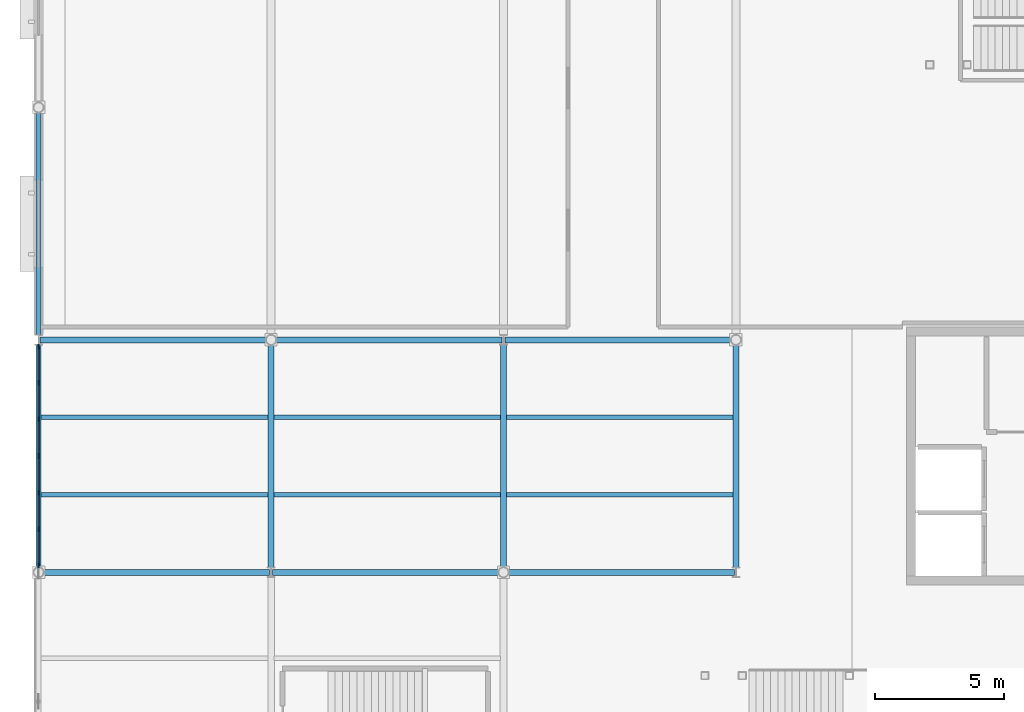
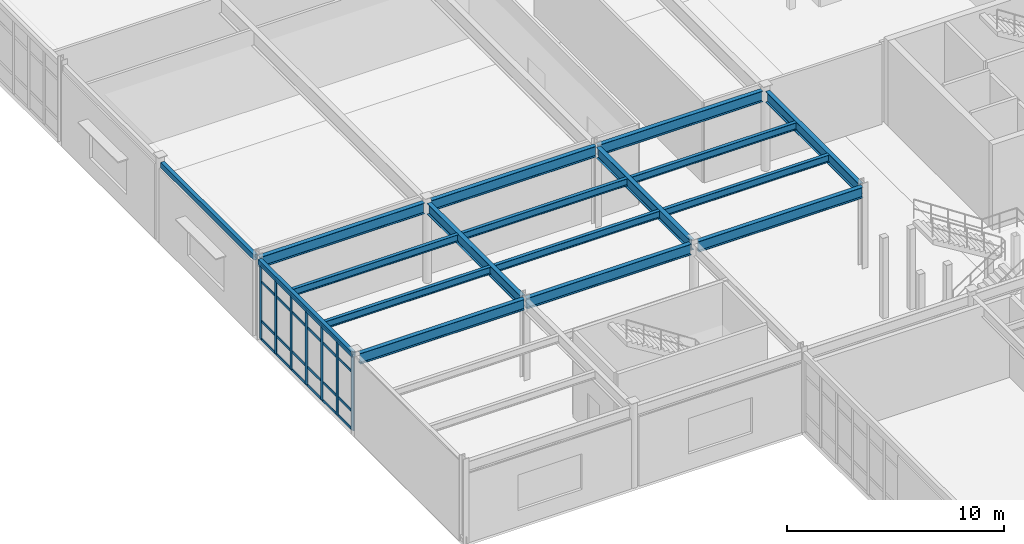
# One storey, part 36 of 84: 31 members, 17 beams, 1 element without a shape of its own.
"""IFC4 building model written with IfcOpenShell, lengths in metres."""

import ifcopenshell
import ifcopenshell.guid

model = None  # the IFC model being written
_history = None  # IfcOwnerHistory: only IFC2X3 demands one
_inside = {}  # id of a spatial element -> (the spatial element, [elements in it])
_under = {}  # id of a project, library or spatial element -> (it, [spatial elements below it])
_declared = {}  # id of a project -> (the project, [libraries it declares])
_typed = {}  # id of a type object -> (the type object, [elements of that type])
_made_of = {}  # id of a material, layer set ... -> (it, [elements and type objects made of it])


def new_model(schema):
    """Start an empty IFC model of exactly this schema.

    Asked for "IFC4X3", IfcOpenShell would pick the latest addendum, in which some entities
    have other attributes; the version numbers below select the first issue.
    IFC2X3 requires an IfcOwnerHistory on every rooted entity: one is made here for all.
    """
    global model, _history
    if schema == "IFC4X3":
        model = ifcopenshell.file(schema_version=(4, 3, 0, 0))
    else:
        model = ifcopenshell.file(schema=schema)
    _inside.clear()
    _under.clear()
    _declared.clear()
    _typed.clear()
    _made_of.clear()
    _history = None
    if model.schema == "IFC2X3":
        org = make("IfcOrganization", Name="unknown")
        user = make(
            "IfcPersonAndOrganization",
            ThePerson=make("IfcPerson", FamilyName="unknown"),
            TheOrganization=org,
        )
        app = make(
            "IfcApplication",
            ApplicationDeveloper=org,
            Version="unknown",
            ApplicationFullName="unknown",
            ApplicationIdentifier="unknown",
        )
        _history = make(
            "IfcOwnerHistory",
            OwningUser=user,
            OwningApplication=app,
            ChangeAction="ADDED",
            CreationDate=0,
        )
    return model


def make(cls, **values):
    """One entity of the class cls with the attributes given. An attribute that is None is left unset."""
    return model.create_entity(
        cls, **{name: value for name, value in values.items() if value is not None}
    )


def rooted(cls, **values):
    """An entity with a GlobalId (a new one), such as an element, a storey or a relation."""
    return make(cls, GlobalId=ifcopenshell.guid.new(), OwnerHistory=_history, **values)


def si_unit(unit_type, name, prefix=None):
    """IfcSIUnit, for example si_unit("LENGTHUNIT", "METRE", prefix="MILLI")."""
    return make("IfcSIUnit", UnitType=unit_type, Prefix=prefix, Name=name)


def assignment(units):
    """IfcUnitAssignment: the units of a project."""
    return None if units is None else make("IfcUnitAssignment", Units=units)


def point(xyz):
    """IfcCartesianPoint."""
    return None if xyz is None else make("IfcCartesianPoint", Coordinates=xyz)


def direction(xyz):
    """IfcDirection."""
    return None if xyz is None else make("IfcDirection", DirectionRatios=xyz)


def frame(location, z_axis=None, x_axis=None):
    """IfcAxis2Placement3D, a coordinate frame: its origin and axes. An axis left out is left unset."""
    return make(
        "IfcAxis2Placement3D",
        Location=point(location),
        Axis=direction(z_axis),
        RefDirection=direction(x_axis),
    )


def frame_2d(location, x_axis=None):
    """IfcAxis2Placement2D, a coordinate frame in the plane: its origin and x axis."""
    return make(
        "IfcAxis2Placement2D", Location=point(location), RefDirection=direction(x_axis)
    )


def origin():
    """The frame at (0, 0, 0) with its axes left unset."""
    return frame((0.0, 0.0, 0.0))


def origin_2d():
    """The frame at (0, 0) in the plane with its x axis left unset."""
    return frame_2d((0.0, 0.0))


def place(relative_to, where):
    """IfcLocalPlacement: puts the frame where relative to a parent placement (None: the world)."""
    return make(
        "IfcLocalPlacement", PlacementRelTo=relative_to, RelativePlacement=where
    )


def context(
    kind, dimensions, precision=None, world=None, true_north=None, identifier=None
):
    """IfcGeometricRepresentationContext, for example the 3D "Model" context."""
    return make(
        "IfcGeometricRepresentationContext",
        ContextIdentifier=identifier,
        ContextType=kind,
        CoordinateSpaceDimension=dimensions,
        Precision=precision,
        WorldCoordinateSystem=world,
        TrueNorth=true_north,
    )


def subcontext(parent, identifier, kind, view, scale=None):
    """IfcGeometricRepresentationSubContext, for example "Body" below "Model"."""
    return make(
        "IfcGeometricRepresentationSubContext",
        ContextIdentifier=identifier,
        ContextType=kind,
        ParentContext=parent,
        TargetScale=scale,
        TargetView=view,
    )


def project(units=None, contexts=None):
    """IfcProject with its units and contexts."""
    return rooted(
        "IfcProject",
        Name="project",
        RepresentationContexts=contexts,
        UnitsInContext=assignment(units),
    )


def spatial(cls, under=None, at=None, **own):
    """A site, building, storey or space (cls), placed at a placement, below another one or the project."""
    s = rooted(cls, ObjectPlacement=at, **own)
    if under is not None:
        _under.setdefault(under.id(), (under, []))[1].append(s)
    return s


def profile(cls, at=None, kind="AREA", **sizes):
    """A parametric profile (cls). Its sizes go by their IFC names, for example OverallWidth=200.0."""
    return make(cls, ProfileType=kind, Position=at, **sizes)


def rectangle(**sizes):
    """IfcRectangleProfileDef."""
    return profile("IfcRectangleProfileDef", **sizes)


def hollow_rectangle(**sizes):
    """IfcRectangleHollowProfileDef."""
    return profile("IfcRectangleHollowProfileDef", **sizes)


def i_section(**sizes):
    """IfcIShapeProfileDef."""
    return profile("IfcIShapeProfileDef", **sizes)


def extrude(swept, where, along, depth):
    """IfcExtrudedAreaSolid: the profile swept, set in the frame where, extruded along a direction by depth."""
    return make(
        "IfcExtrudedAreaSolid",
        SweptArea=swept,
        Position=where,
        ExtrudedDirection=direction(along),
        Depth=depth,
    )


def shape(context_of_items, identifier, shape_type, items):
    """IfcShapeRepresentation: the items that make up one representation, for example the "Body"."""
    return make(
        "IfcShapeRepresentation",
        ContextOfItems=context_of_items,
        RepresentationIdentifier=identifier,
        RepresentationType=shape_type,
        Items=items,
    )


def material(Name=None, Category=None):
    """IfcMaterial."""
    return make("IfcMaterial", Name=Name, Category=Category)


def material_profile(
    of_material, cross_section, Name=None, Category=None, Priority=None
):
    """IfcMaterialProfile: a cross section and its material."""
    return make(
        "IfcMaterialProfile",
        Name=Name,
        Material=of_material,
        Profile=cross_section,
        Priority=Priority,
        Category=Category,
    )


def profile_set(profiles, Name=None, composite=None):
    """IfcMaterialProfileSet."""
    return make(
        "IfcMaterialProfileSet",
        Name=Name,
        MaterialProfiles=profiles,
        CompositeProfile=composite,
    )


def made_of(thing, what):
    """Note that an element or type object is made of a material, layer set ...; save() writes the relation."""
    if what is not None:
        _made_of.setdefault(what.id(), (what, []))[1].append(thing)
    return thing


def type_object(cls, material=None, **own):
    """A type object (cls), such as IfcWallType, which elements share."""
    return made_of(rooted(cls, **own), material)


def element(
    cls,
    number,
    at=None,
    inside=None,
    cuts=None,
    type_object=None,
    material=None,
    context=None,
    identifier="Body",
    shape_type=None,
    held_by="IfcProductDefinitionShape",
    body=None,
    shapes=None,
    **own,
):
    """One element of the class cls, such as IfcWall. Its Tag is "e" and its number.

    at: its placement. inside: the storey or other place that contains it. cuts: it is an
    opening in that element (IfcRelVoidsElement). A single representation is given by context,
    identifier, shape_type and body (its items); several are given by shapes. held_by: the class
    of the entity that holds the representations. save() writes the other relations.
    """
    e = rooted(cls, Tag="e%d" % number, ObjectPlacement=at, **own)
    if body is not None:
        shapes = [shape(context, identifier, shape_type, body)]
    if shapes is not None:
        e.Representation = make(held_by, Representations=shapes)
    if inside is not None:
        _inside.setdefault(inside.id(), (inside, []))[1].append(e)
    if cuts is not None:
        rooted(
            "IfcRelVoidsElement", RelatingBuildingElement=cuts, RelatedOpeningElement=e
        )
    if type_object is not None:
        _typed.setdefault(type_object.id(), (type_object, []))[1].append(e)
    return made_of(e, material)


def aggregate(whole, parts):
    """IfcRelAggregates: a whole, such as a stair, and the parts it consists of."""
    return rooted("IfcRelAggregates", RelatingObject=whole, RelatedObjects=parts)


def save(model, path):
    """Write the relations noted so far, then the file.

    IfcRelAggregates (storeys below a building ...), IfcRelContainedInSpatialStructure (elements
    in a storey), IfcRelDefinesByType, IfcRelAssociatesMaterial and IfcRelDeclares: one each for
    every whole, place, type object, material and project.
    """
    for whole, parts in _under.values():
        aggregate(whole, parts)
    for where, things in _inside.values():
        rooted(
            "IfcRelContainedInSpatialStructure",
            RelatedElements=things,
            RelatingStructure=where,
        )
    for kind, things in _typed.values():
        rooted("IfcRelDefinesByType", RelatedObjects=things, RelatingType=kind)
    for what, things in _made_of.values():
        rooted("IfcRelAssociatesMaterial", RelatedObjects=things, RelatingMaterial=what)
    for by, libraries in _declared.values():
        rooted("IfcRelDeclares", RelatingContext=by, RelatedDefinitions=libraries)
    model.write(path)


model = new_model("IFC4")

# Units and contexts
model_context = context("Model", 3, precision=1e-05, world=origin(), true_north=direction((0.0, 1.0)))
body_context = subcontext(model_context, "Body", "Model", "MODEL_VIEW")
ifc_project = project(units=[si_unit("LENGTHUNIT", "METRE"), si_unit("AREAUNIT", "SQUARE_METRE"), si_unit("VOLUMEUNIT", "CUBIC_METRE"), si_unit("PLANEANGLEUNIT", "RADIAN"), si_unit("MASSUNIT", "GRAM", prefix="KILO")], contexts=[model_context])

# Site, building, storey
site_placement = place(None, origin())
site = spatial("IfcSite", under=ifc_project, at=site_placement, CompositionType="ELEMENT")
building_placement = place(site_placement, origin())
building = spatial("IfcBuilding", under=site, at=building_placement, Name="Glasvene Arena", CompositionType="ELEMENT")
storey_placement = place(building_placement, frame((0.0, 0.0, 10.199951171875)))
storey = spatial("IfcBuildingStorey", under=building, at=storey_placement, Name="L02", CompositionType="ELEMENT", Elevation=10.199951171875)

# Beams
ifc_material_1 = material(Name="Steel S355J2", Category="steel")
ifc_material_profile_1 = material_profile(ifc_material_1, i_section(OverallWidth=0.228271484375, OverallDepth=0.607666015625, WebThickness=0.010986328125, FlangeThickness=0.017333984375, FilletRadius=0.0126953125, at=origin_2d()), Name="UKB 610x229x113")
ifc_profile_set_1 = profile_set([ifc_material_profile_1], Name="Steel S355J2")
beam_type_1 = type_object("IfcBeamType", Name="BM-GIRD-610", PredefinedType="BEAM", material=ifc_profile_set_1)
for number, where, z_axis, x_axis, name in (
    (1, (0.1982421875, 64.0, 4.21630859375), (1.0, 0.0, 0.0), (0.0, 1.0, 0.0), "Primary X girder L02-0811"),
    (2, (9.050048828125, 64.0, 4.21630859375), (1.0, 0.0, 0.0), (0.0, 1.0, 0.0), "Primary X girder L02-0812"),
    (3, (18.1982421875, 64.0, 4.21630859375), (1.0, 0.0, 0.0), (0.0, 1.0, 0.0), "Primary X girder L02-0813"),
    (4, (0.050048828125, 73.0, 4.21630859375), (1.0, 0.0, 0.0), (0.0, 1.0, 0.0), "Primary X girder L02-0814"),
    (5, (9.1982421875, 73.0, 4.21630859375), (1.0, 0.0, 0.0), (0.0, 1.0, 0.0), "Primary X girder L02-0815"),
    (6, (18.050048828125, 73.0, 4.21630859375), (1.0, 0.0, 0.0), (0.0, 1.0, 0.0), "Primary X girder L02-0816"),
):
    element("IfcBeam", number, at=place(storey_placement, frame(where, z_axis=z_axis, x_axis=x_axis)), inside=storey, type_object=beam_type_1, Name=name, PredefinedType="BEAM", context=body_context, shape_type="SweptSolid", body=[
        extrude(i_section(OverallWidth=0.228271484375, OverallDepth=0.607666015625, WebThickness=0.010986328125, FlangeThickness=0.017333984375, FilletRadius=0.0126953125, at=origin_2d()), origin(), (0.0, 0.0, 1.0), 8.751708984375),
    ])
for number, where, z_axis, x_axis, name in (
    (7, (9.0, 64.195068359375, 4.21630859375), (0.0, 1.0, 0.0), (-1.0, 0.0, 0.0), "Primary Y girder L02-0843"),
    (8, (18.0, 64.1982421875, 4.21630859375), (0.0, 1.0, 0.0), (-1.0, 0.0, 0.0), "Primary Y girder L02-0851"),
    (9, (27.0, 64.195068359375, 4.21630859375), (0.0, 1.0, 0.0), (-1.0, 0.0, 0.0), "Primary Y girder L02-0860"),
):
    element("IfcBeam", number, at=place(storey_placement, frame(where, z_axis=z_axis, x_axis=x_axis)), inside=storey, type_object=beam_type_1, Name=name, PredefinedType="BEAM", context=body_context, shape_type="SweptSolid", body=[
        extrude(i_section(OverallWidth=0.228271484375, OverallDepth=0.607666015625, WebThickness=0.010986328125, FlangeThickness=0.017333984375, FilletRadius=0.0126953125, at=origin_2d()), origin(), (0.0, 0.0, 1.0), 8.606689453125),
    ])
ifc_material_profile_2 = material_profile(ifc_material_1, i_section(OverallWidth=0.177978515625, OverallDepth=0.406494140625, WebThickness=0.0078125, FlangeThickness=0.0126953125, FilletRadius=0.01025390625, at=origin_2d()), Name="UKB 406x178x60")
ifc_profile_set_2 = profile_set([ifc_material_profile_2], Name="Steel S355J2")
beam_type_2 = type_object("IfcBeamType", Name="BM-JOIST-406", PredefinedType="JOIST", material=ifc_profile_set_2)
for number, where, z_axis, x_axis, name in (
    (10, (0.095947265625, 67.0, 4.31689453125), (1.0, 0.0, 0.0), (0.0, 1.0, 0.0), "Composite floor joist L02-0889"),
    (11, (0.095947265625, 70.0, 4.31689453125), (1.0, 0.0, 0.0), (0.0, 1.0, 0.0), "Composite floor joist L02-0890"),
):
    element("IfcBeam", number, at=place(storey_placement, frame(where, z_axis=z_axis, x_axis=x_axis)), inside=storey, type_object=beam_type_2, Name=name, PredefinedType="JOIST", context=body_context, shape_type="SweptSolid", body=[
        extrude(i_section(OverallWidth=0.177978515625, OverallDepth=0.406494140625, WebThickness=0.0078125, FlangeThickness=0.0126953125, FilletRadius=0.01025390625, at=origin_2d()), origin(), (0.0, 0.0, 1.0), 8.7939453125),
    ])
for number, where, z_axis, x_axis, name in (
    (12, (9.110107421875, 67.0, 4.31689453125), (1.0, 0.0, 0.0), (0.0, 1.0, 0.0), "Composite floor joist L02-0898"),
    (13, (9.110107421875, 70.0, 4.31689453125), (1.0, 0.0, 0.0), (0.0, 1.0, 0.0), "Composite floor joist L02-0899"),
    (14, (18.110107421875, 67.0, 4.31689453125), (1.0, 0.0, 0.0), (0.0, 1.0, 0.0), "Composite floor joist L02-0907"),
    (15, (18.110107421875, 70.0, 4.31689453125), (1.0, 0.0, 0.0), (0.0, 1.0, 0.0), "Composite floor joist L02-0908"),
):
    element("IfcBeam", number, at=place(storey_placement, frame(where, z_axis=z_axis, x_axis=x_axis)), inside=storey, type_object=beam_type_2, Name=name, PredefinedType="JOIST", context=body_context, shape_type="SweptSolid", body=[
        extrude(i_section(OverallWidth=0.177978515625, OverallDepth=0.406494140625, WebThickness=0.0078125, FlangeThickness=0.0126953125, FilletRadius=0.01025390625, at=origin_2d()), origin(), (0.0, 0.0, 1.0), 8.77978515625),
    ])
ifc_material_profile_3 = material_profile(ifc_material_1, hollow_rectangle(XDim=0.199951171875, YDim=0.300048828125, WallThickness=0.012451171875, at=origin_2d()), Name="RHS 300x200x12.5")
ifc_profile_set_3 = profile_set([ifc_material_profile_3], Name="Steel S355J2")
beam_type_3 = type_object("IfcBeamType", Name="BM-SPAND-300", PredefinedType="SPANDREL", material=ifc_profile_set_3)
for number, where, z_axis, x_axis, name in (
    (16, (0.0, 64.1982421875, 4.3701171875), (0.0, 1.0, 0.0), (-1.0, 0.0, 0.0), "Primary Y girder L02-0833"),
    (17, (0.0, 73.195068359375, 4.3701171875), (0.0, 1.0, 0.0), (-1.0, 0.0, 0.0), "Primary Y girder L02-0834"),
):
    element("IfcBeam", number, at=place(storey_placement, frame(where, z_axis=z_axis, x_axis=x_axis)), inside=storey, type_object=beam_type_3, Name=name, PredefinedType="SPANDREL", context=body_context, shape_type="SweptSolid", body=[
        extrude(hollow_rectangle(XDim=0.199951171875, YDim=0.300048828125, WallThickness=0.012451171875, at=origin_2d()), origin(), (0.0, 0.0, 1.0), 8.606689453125),
    ])

# Curtain wall, members
ifc_material_2 = material(Name="Low-emissivity laminated double glazing", Category="glass")
curtain_wall_type = type_object("IfcCurtainWallType", Name="CW-FAC-L01-851x416", PredefinedType="USERDEFINED", material=ifc_material_2)
curtain_wall_placement = place(storey_placement, frame((0.0, 64.2451171875, 0.0)))
curtain_wall = element("IfcCurtainWall", 18, at=curtain_wall_placement, inside=storey, type_object=curtain_wall_type, Name="Unitised curtain wall CW-F-L02-180-0-685-1", ObjectType="CURTAIN WALL", PredefinedType="USERDEFINED")
ifc_material_3 = material(Name="Anodised architectural aluminium", Category="aluminium")
ifc_material_profile_4 = material_profile(ifc_material_3, rectangle(XDim=0.050048828125, YDim=0.199951171875, at=origin_2d()), Name="ALU MULLION 50x200")
ifc_profile_set_4 = profile_set([ifc_material_profile_4], Name="Anodised architectural aluminium")
member_type_1 = type_object("IfcMemberType", Name="CW-MUL-180", PredefinedType="MULLION", material=ifc_profile_set_4)
member_1_placement = place(storey_placement, frame((0.0, 64.270263671875, 0.06005859375), z_axis=(0.0, 0.0, 1.0), x_axis=(-1.0, 0.0, 0.0)))
member_1 = element("IfcMember", 19, at=member_1_placement, type_object=member_type_1, Name="CW-016 mullion 1", PredefinedType="MULLION", context=body_context, shape_type="SweptSolid", body=[
    extrude(rectangle(XDim=0.050048828125, YDim=0.199951171875, at=origin_2d()), origin(), (0.0, 0.0, 1.0), 4.155029296875),
])
member_2_placement = place(storey_placement, frame((0.0, 65.6640625, 0.06005859375), z_axis=(0.0, 0.0, 1.0), x_axis=(-1.0, 0.0, 0.0)))
member_2 = element("IfcMember", 20, at=member_2_placement, type_object=member_type_1, Name="CW-016 mullion 2", PredefinedType="MULLION", context=body_context, shape_type="SweptSolid", body=[
    extrude(rectangle(XDim=0.050048828125, YDim=0.199951171875, at=origin_2d()), origin(), (0.0, 0.0, 1.0), 4.155029296875),
])
member_3_placement = place(storey_placement, frame((0.0, 67.082763671875, 0.06005859375), z_axis=(0.0, 0.0, 1.0), x_axis=(-1.0, 0.0, 0.0)))
member_3 = element("IfcMember", 21, at=member_3_placement, type_object=member_type_1, Name="CW-016 mullion 3", PredefinedType="MULLION", context=body_context, shape_type="SweptSolid", body=[
    extrude(rectangle(XDim=0.050048828125, YDim=0.199951171875, at=origin_2d()), origin(), (0.0, 0.0, 1.0), 4.155029296875),
])
member_4_placement = place(storey_placement, frame((0.0, 68.501708984375, 0.06005859375), z_axis=(0.0, 0.0, 1.0), x_axis=(-1.0, 0.0, 0.0)))
member_4 = element("IfcMember", 22, at=member_4_placement, type_object=member_type_1, Name="CW-016 mullion 4", PredefinedType="MULLION", context=body_context, shape_type="SweptSolid", body=[
    extrude(rectangle(XDim=0.050048828125, YDim=0.199951171875, at=origin_2d()), origin(), (0.0, 0.0, 1.0), 4.155029296875),
])
member_5_placement = place(storey_placement, frame((0.0, 69.92041015625, 0.06005859375), z_axis=(0.0, 0.0, 1.0), x_axis=(-1.0, 0.0, 0.0)))
member_5 = element("IfcMember", 23, at=member_5_placement, type_object=member_type_1, Name="CW-016 mullion 5", PredefinedType="MULLION", context=body_context, shape_type="SweptSolid", body=[
    extrude(rectangle(XDim=0.050048828125, YDim=0.199951171875, at=origin_2d()), origin(), (0.0, 0.0, 1.0), 4.155029296875),
])
member_6_placement = place(storey_placement, frame((0.0, 71.339111328125, 0.06005859375), z_axis=(0.0, 0.0, 1.0), x_axis=(-1.0, 0.0, 0.0)))
member_6 = element("IfcMember", 24, at=member_6_placement, type_object=member_type_1, Name="CW-016 mullion 6", PredefinedType="MULLION", context=body_context, shape_type="SweptSolid", body=[
    extrude(rectangle(XDim=0.050048828125, YDim=0.199951171875, at=origin_2d()), origin(), (0.0, 0.0, 1.0), 4.155029296875),
])
member_7_placement = place(storey_placement, frame((0.0, 72.73291015625, 0.06005859375), z_axis=(0.0, 0.0, 1.0), x_axis=(-1.0, 0.0, 0.0)))
member_7 = element("IfcMember", 25, at=member_7_placement, type_object=member_type_1, Name="CW-016 mullion 7", PredefinedType="MULLION", context=body_context, shape_type="SweptSolid", body=[
    extrude(rectangle(XDim=0.050048828125, YDim=0.199951171875, at=origin_2d()), origin(), (0.0, 0.0, 1.0), 4.155029296875),
])
ifc_material_profile_5 = material_profile(ifc_material_3, rectangle(XDim=0.050048828125, YDim=0.14990234375, at=origin_2d()), Name="ALU TRANSOM 50x150")
ifc_profile_set_5 = profile_set([ifc_material_profile_5], Name="Anodised architectural aluminium")
member_type_2 = type_object("IfcMemberType", Name="CW-TRN-150", PredefinedType="USERDEFINED", material=ifc_profile_set_5)
member_8_placement = place(storey_placement, frame((0.0, 64.295166015625, 0.0849609375), z_axis=(0.0, 1.0, 0.0), x_axis=(-1.0, 0.0, 0.0)))
member_8 = element("IfcMember", 26, at=member_8_placement, type_object=member_type_2, Name="CW-016 transom 1.1", ObjectType="TRANSOM", PredefinedType="USERDEFINED", context=body_context, shape_type="SweptSolid", body=[
    extrude(rectangle(XDim=0.050048828125, YDim=0.14990234375, at=origin_2d()), origin(), (0.0, 0.0, 1.0), 1.34375),
])
member_9_placement = place(storey_placement, frame((0.0, 64.295166015625, 1.10009765625), z_axis=(0.0, 1.0, 0.0), x_axis=(-1.0, 0.0, 0.0)))
member_9 = element("IfcMember", 27, at=member_9_placement, type_object=member_type_2, Name="CW-016 transom 1.2", ObjectType="TRANSOM", PredefinedType="USERDEFINED", context=body_context, shape_type="SweptSolid", body=[
    extrude(rectangle(XDim=0.050048828125, YDim=0.14990234375, at=origin_2d()), origin(), (0.0, 0.0, 1.0), 1.34375),
])
member_10_placement = place(storey_placement, frame((0.0, 64.295166015625, 3.31494140625), z_axis=(0.0, 1.0, 0.0), x_axis=(-1.0, 0.0, 0.0)))
member_10 = element("IfcMember", 28, at=member_10_placement, type_object=member_type_2, Name="CW-016 transom 1.3", ObjectType="TRANSOM", PredefinedType="USERDEFINED", context=body_context, shape_type="SweptSolid", body=[
    extrude(rectangle(XDim=0.050048828125, YDim=0.14990234375, at=origin_2d()), origin(), (0.0, 0.0, 1.0), 1.34375),
])
member_11_placement = place(storey_placement, frame((0.0, 64.295166015625, 4.18994140625), z_axis=(0.0, 1.0, 0.0), x_axis=(-1.0, 0.0, 0.0)))
member_11 = element("IfcMember", 29, at=member_11_placement, type_object=member_type_2, Name="CW-016 transom 1.4", ObjectType="TRANSOM", PredefinedType="USERDEFINED", context=body_context, shape_type="SweptSolid", body=[
    extrude(rectangle(XDim=0.050048828125, YDim=0.14990234375, at=origin_2d()), origin(), (0.0, 0.0, 1.0), 1.34375),
])
member_12_placement = place(storey_placement, frame((0.0, 65.68896484375, 0.0849609375), z_axis=(0.0, 1.0, 0.0), x_axis=(-1.0, 0.0, 0.0)))
member_12 = element("IfcMember", 30, at=member_12_placement, type_object=member_type_2, Name="CW-016 transom 2.1", ObjectType="TRANSOM", PredefinedType="USERDEFINED", context=body_context, shape_type="SweptSolid", body=[
    extrude(rectangle(XDim=0.050048828125, YDim=0.14990234375, at=origin_2d()), origin(), (0.0, 0.0, 1.0), 1.368896484375),
])
member_13_placement = place(storey_placement, frame((0.0, 65.68896484375, 1.10009765625), z_axis=(0.0, 1.0, 0.0), x_axis=(-1.0, 0.0, 0.0)))
member_13 = element("IfcMember", 31, at=member_13_placement, type_object=member_type_2, Name="CW-016 transom 2.2", ObjectType="TRANSOM", PredefinedType="USERDEFINED", context=body_context, shape_type="SweptSolid", body=[
    extrude(rectangle(XDim=0.050048828125, YDim=0.14990234375, at=origin_2d()), origin(), (0.0, 0.0, 1.0), 1.368896484375),
])
member_14_placement = place(storey_placement, frame((0.0, 65.68896484375, 3.31494140625), z_axis=(0.0, 1.0, 0.0), x_axis=(-1.0, 0.0, 0.0)))
member_14 = element("IfcMember", 32, at=member_14_placement, type_object=member_type_2, Name="CW-016 transom 2.3", ObjectType="TRANSOM", PredefinedType="USERDEFINED", context=body_context, shape_type="SweptSolid", body=[
    extrude(rectangle(XDim=0.050048828125, YDim=0.14990234375, at=origin_2d()), origin(), (0.0, 0.0, 1.0), 1.368896484375),
])
member_15_placement = place(storey_placement, frame((0.0, 65.68896484375, 4.18994140625), z_axis=(0.0, 1.0, 0.0), x_axis=(-1.0, 0.0, 0.0)))
member_15 = element("IfcMember", 33, at=member_15_placement, type_object=member_type_2, Name="CW-016 transom 2.4", ObjectType="TRANSOM", PredefinedType="USERDEFINED", context=body_context, shape_type="SweptSolid", body=[
    extrude(rectangle(XDim=0.050048828125, YDim=0.14990234375, at=origin_2d()), origin(), (0.0, 0.0, 1.0), 1.368896484375),
])
member_16_placement = place(storey_placement, frame((0.0, 67.10791015625, 0.0849609375), z_axis=(0.0, 1.0, 0.0), x_axis=(-1.0, 0.0, 0.0)))
member_16 = element("IfcMember", 34, at=member_16_placement, type_object=member_type_2, Name="CW-016 transom 3.1", ObjectType="TRANSOM", PredefinedType="USERDEFINED", context=body_context, shape_type="SweptSolid", body=[
    extrude(rectangle(XDim=0.050048828125, YDim=0.14990234375, at=origin_2d()), origin(), (0.0, 0.0, 1.0), 1.36865234375),
])
member_17_placement = place(storey_placement, frame((0.0, 67.10791015625, 1.10009765625), z_axis=(0.0, 1.0, 0.0), x_axis=(-1.0, 0.0, 0.0)))
member_17 = element("IfcMember", 35, at=member_17_placement, type_object=member_type_2, Name="CW-016 transom 3.2", ObjectType="TRANSOM", PredefinedType="USERDEFINED", context=body_context, shape_type="SweptSolid", body=[
    extrude(rectangle(XDim=0.050048828125, YDim=0.14990234375, at=origin_2d()), origin(), (0.0, 0.0, 1.0), 1.36865234375),
])
member_18_placement = place(storey_placement, frame((0.0, 67.10791015625, 3.31494140625), z_axis=(0.0, 1.0, 0.0), x_axis=(-1.0, 0.0, 0.0)))
member_18 = element("IfcMember", 36, at=member_18_placement, type_object=member_type_2, Name="CW-016 transom 3.3", ObjectType="TRANSOM", PredefinedType="USERDEFINED", context=body_context, shape_type="SweptSolid", body=[
    extrude(rectangle(XDim=0.050048828125, YDim=0.14990234375, at=origin_2d()), origin(), (0.0, 0.0, 1.0), 1.36865234375),
])
member_19_placement = place(storey_placement, frame((0.0, 67.10791015625, 4.18994140625), z_axis=(0.0, 1.0, 0.0), x_axis=(-1.0, 0.0, 0.0)))
member_19 = element("IfcMember", 37, at=member_19_placement, type_object=member_type_2, Name="CW-016 transom 3.4", ObjectType="TRANSOM", PredefinedType="USERDEFINED", context=body_context, shape_type="SweptSolid", body=[
    extrude(rectangle(XDim=0.050048828125, YDim=0.14990234375, at=origin_2d()), origin(), (0.0, 0.0, 1.0), 1.36865234375),
])
member_20_placement = place(storey_placement, frame((0.0, 68.526611328125, 0.0849609375), z_axis=(0.0, 1.0, 0.0), x_axis=(-1.0, 0.0, 0.0)))
member_20 = element("IfcMember", 38, at=member_20_placement, type_object=member_type_2, Name="CW-016 transom 4.1", ObjectType="TRANSOM", PredefinedType="USERDEFINED", context=body_context, shape_type="SweptSolid", body=[
    extrude(rectangle(XDim=0.050048828125, YDim=0.14990234375, at=origin_2d()), origin(), (0.0, 0.0, 1.0), 1.368896484375),
])
member_21_placement = place(storey_placement, frame((0.0, 68.526611328125, 1.10009765625), z_axis=(0.0, 1.0, 0.0), x_axis=(-1.0, 0.0, 0.0)))
member_21 = element("IfcMember", 39, at=member_21_placement, type_object=member_type_2, Name="CW-016 transom 4.2", ObjectType="TRANSOM", PredefinedType="USERDEFINED", context=body_context, shape_type="SweptSolid", body=[
    extrude(rectangle(XDim=0.050048828125, YDim=0.14990234375, at=origin_2d()), origin(), (0.0, 0.0, 1.0), 1.368896484375),
])
member_22_placement = place(storey_placement, frame((0.0, 68.526611328125, 3.31494140625), z_axis=(0.0, 1.0, 0.0), x_axis=(-1.0, 0.0, 0.0)))
member_22 = element("IfcMember", 40, at=member_22_placement, type_object=member_type_2, Name="CW-016 transom 4.3", ObjectType="TRANSOM", PredefinedType="USERDEFINED", context=body_context, shape_type="SweptSolid", body=[
    extrude(rectangle(XDim=0.050048828125, YDim=0.14990234375, at=origin_2d()), origin(), (0.0, 0.0, 1.0), 1.368896484375),
])
member_23_placement = place(storey_placement, frame((0.0, 68.526611328125, 4.18994140625), z_axis=(0.0, 1.0, 0.0), x_axis=(-1.0, 0.0, 0.0)))
member_23 = element("IfcMember", 41, at=member_23_placement, type_object=member_type_2, Name="CW-016 transom 4.4", ObjectType="TRANSOM", PredefinedType="USERDEFINED", context=body_context, shape_type="SweptSolid", body=[
    extrude(rectangle(XDim=0.050048828125, YDim=0.14990234375, at=origin_2d()), origin(), (0.0, 0.0, 1.0), 1.368896484375),
])
member_24_placement = place(storey_placement, frame((0.0, 69.9453125, 0.0849609375), z_axis=(0.0, 1.0, 0.0), x_axis=(-1.0, 0.0, 0.0)))
member_24 = element("IfcMember", 42, at=member_24_placement, type_object=member_type_2, Name="CW-016 transom 5.1", ObjectType="TRANSOM", PredefinedType="USERDEFINED", context=body_context, shape_type="SweptSolid", body=[
    extrude(rectangle(XDim=0.050048828125, YDim=0.14990234375, at=origin_2d()), origin(), (0.0, 0.0, 1.0), 1.368896484375),
])
member_25_placement = place(storey_placement, frame((0.0, 69.9453125, 1.10009765625), z_axis=(0.0, 1.0, 0.0), x_axis=(-1.0, 0.0, 0.0)))
member_25 = element("IfcMember", 43, at=member_25_placement, type_object=member_type_2, Name="CW-016 transom 5.2", ObjectType="TRANSOM", PredefinedType="USERDEFINED", context=body_context, shape_type="SweptSolid", body=[
    extrude(rectangle(XDim=0.050048828125, YDim=0.14990234375, at=origin_2d()), origin(), (0.0, 0.0, 1.0), 1.368896484375),
])
member_26_placement = place(storey_placement, frame((0.0, 69.9453125, 3.31494140625), z_axis=(0.0, 1.0, 0.0), x_axis=(-1.0, 0.0, 0.0)))
member_26 = element("IfcMember", 44, at=member_26_placement, type_object=member_type_2, Name="CW-016 transom 5.3", ObjectType="TRANSOM", PredefinedType="USERDEFINED", context=body_context, shape_type="SweptSolid", body=[
    extrude(rectangle(XDim=0.050048828125, YDim=0.14990234375, at=origin_2d()), origin(), (0.0, 0.0, 1.0), 1.368896484375),
])
member_27_placement = place(storey_placement, frame((0.0, 69.9453125, 4.18994140625), z_axis=(0.0, 1.0, 0.0), x_axis=(-1.0, 0.0, 0.0)))
member_27 = element("IfcMember", 45, at=member_27_placement, type_object=member_type_2, Name="CW-016 transom 5.4", ObjectType="TRANSOM", PredefinedType="USERDEFINED", context=body_context, shape_type="SweptSolid", body=[
    extrude(rectangle(XDim=0.050048828125, YDim=0.14990234375, at=origin_2d()), origin(), (0.0, 0.0, 1.0), 1.368896484375),
])
member_28_placement = place(storey_placement, frame((0.0, 71.3642578125, 0.0849609375), z_axis=(0.0, 1.0, 0.0), x_axis=(-1.0, 0.0, 0.0)))
member_28 = element("IfcMember", 46, at=member_28_placement, type_object=member_type_2, Name="CW-016 transom 6.1", ObjectType="TRANSOM", PredefinedType="USERDEFINED", context=body_context, shape_type="SweptSolid", body=[
    extrude(rectangle(XDim=0.050048828125, YDim=0.14990234375, at=origin_2d()), origin(), (0.0, 0.0, 1.0), 1.34375),
])
member_29_placement = place(storey_placement, frame((0.0, 71.3642578125, 1.10009765625), z_axis=(0.0, 1.0, 0.0), x_axis=(-1.0, 0.0, 0.0)))
member_29 = element("IfcMember", 47, at=member_29_placement, type_object=member_type_2, Name="CW-016 transom 6.2", ObjectType="TRANSOM", PredefinedType="USERDEFINED", context=body_context, shape_type="SweptSolid", body=[
    extrude(rectangle(XDim=0.050048828125, YDim=0.14990234375, at=origin_2d()), origin(), (0.0, 0.0, 1.0), 1.34375),
])
member_30_placement = place(storey_placement, frame((0.0, 71.3642578125, 3.31494140625), z_axis=(0.0, 1.0, 0.0), x_axis=(-1.0, 0.0, 0.0)))
member_30 = element("IfcMember", 48, at=member_30_placement, type_object=member_type_2, Name="CW-016 transom 6.3", ObjectType="TRANSOM", PredefinedType="USERDEFINED", context=body_context, shape_type="SweptSolid", body=[
    extrude(rectangle(XDim=0.050048828125, YDim=0.14990234375, at=origin_2d()), origin(), (0.0, 0.0, 1.0), 1.34375),
])
member_31_placement = place(storey_placement, frame((0.0, 71.3642578125, 4.18994140625), z_axis=(0.0, 1.0, 0.0), x_axis=(-1.0, 0.0, 0.0)))
member_31 = element("IfcMember", 49, at=member_31_placement, type_object=member_type_2, Name="CW-016 transom 6.4", ObjectType="TRANSOM", PredefinedType="USERDEFINED", context=body_context, shape_type="SweptSolid", body=[
    extrude(rectangle(XDim=0.050048828125, YDim=0.14990234375, at=origin_2d()), origin(), (0.0, 0.0, 1.0), 1.34375),
])
aggregate(curtain_wall, [member_1, member_2, member_3, member_4, member_5, member_6, member_7, member_8, member_9, member_10, member_11, member_12, member_13, member_14, member_15, member_16, member_17, member_18, member_19, member_20, member_21, member_22, member_23, member_24, member_25, member_26, member_27, member_28, member_29, member_30, member_31])

save(model, "model.ifc")
